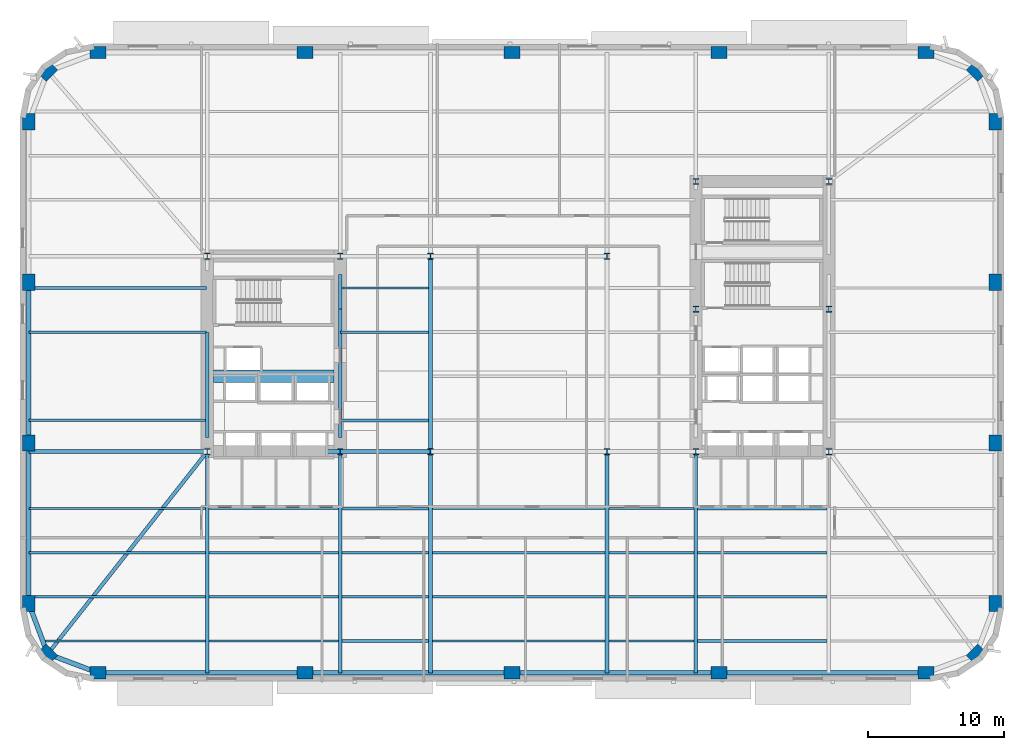
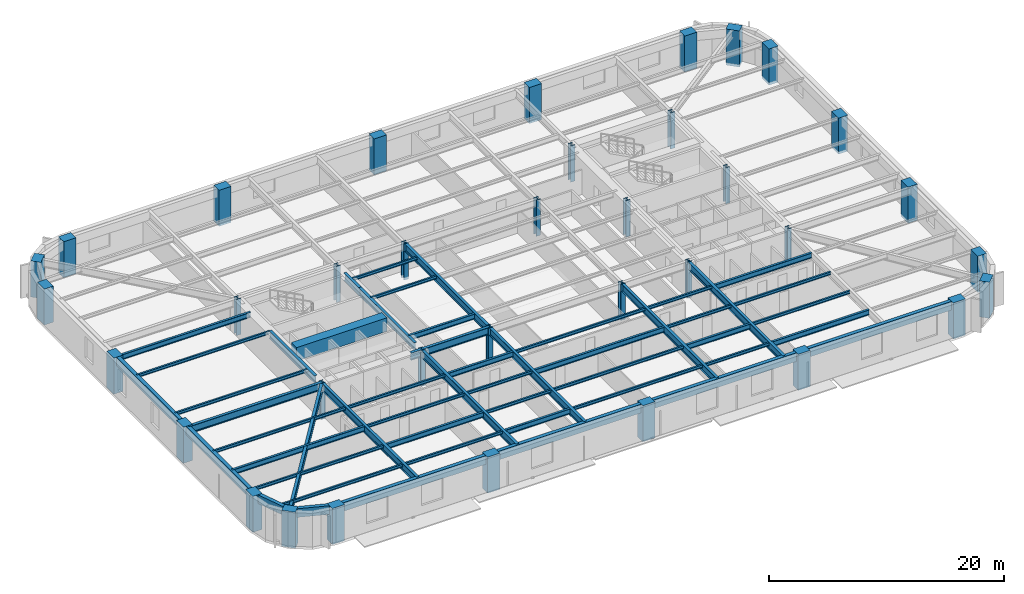
# One storey, part 1 of 15: 51 beams, 36 columns.
"""IFC4 building model written with IfcOpenShell, lengths in metres."""

from ifc_helpers import new_model, si_unit, direction, frame, origin, origin_2d, place, context, subcontext, project, spatial, rectangle, hollow_rectangle, i_section, extrude, material, material_profile, profile_set, type_object, element, save


model = new_model("IFC4")

# Units and contexts
model_context = context("Model", 3, precision=1e-05, world=origin(), true_north=direction((0.0, 1.0)))
body_context = subcontext(model_context, "Body", "Model", "MODEL_VIEW")
ifc_project = project(units=[si_unit("LENGTHUNIT", "METRE"), si_unit("AREAUNIT", "SQUARE_METRE"), si_unit("VOLUMEUNIT", "CUBIC_METRE"), si_unit("PLANEANGLEUNIT", "RADIAN"), si_unit("MASSUNIT", "GRAM", prefix="KILO")], contexts=[model_context])

# Site, building, storey
site_placement = place(None, origin())
site = spatial("IfcSite", under=ifc_project, at=site_placement, CompositionType="ELEMENT")
building_placement = place(site_placement, origin())
building = spatial("IfcBuilding", under=site, at=building_placement, Name="Kolvaren Arena Tower", CompositionType="ELEMENT")
storey_placement = place(building_placement, frame((0.0, 0.0, 72.0)))
storey = spatial("IfcBuildingStorey", under=building, at=storey_placement, Name="L15", CompositionType="ELEMENT", Elevation=72.0)

# Columns
ifc_material_1 = material(Name="Precast concrete C70/85", Category="concrete")
ifc_material_profile_1 = material_profile(ifc_material_1, rectangle(XDim=1.199951171875, YDim=0.89990234375, at=origin_2d()), Name="RC-1200x900")
ifc_profile_set_1 = profile_set([ifc_material_profile_1], Name="Precast concrete C70/85")
column_type_1 = type_object("IfcColumnType", Name="EXCOL-Z1", PredefinedType="COLUMN", material=ifc_profile_set_1)
for number, where, z_axis, x_axis, name in (
    (1, (6.5, 3.14990234375, -0.27001953125), (0.0, 0.0, 1.0), (1.0, 0.0, 0.0), "Exoskeleton Perimeter Column 01 (L15)"),
    (2, (21.75, 3.14990234375, -0.27001953125), (0.0, 0.0, 1.0), (1.0, 0.0, 0.0), "Exoskeleton Perimeter Column 02 (L15)"),
    (3, (37.0, 3.14990234375, -0.27001953125), (0.0, 0.0, 1.0), (1.0, 0.0, 0.0), "Exoskeleton Perimeter Column 03 (L15)"),
    (4, (52.25, 3.14990234375, -0.27001953125), (0.0, 0.0, 1.0), (1.0, 0.0, 0.0), "Exoskeleton Perimeter Column 04 (L15)"),
    (5, (67.5, 3.14990234375, -0.27001953125), (0.0, 0.0, 1.0), (1.0, 0.0, 0.0), "Exoskeleton Perimeter Column 05 (L15)"),
    (6, (71.208740234375, 4.541259765625, -0.27001953125), (0.0, 0.0, 1.0), (0.707106781187, 0.707106781187, 0.0), "Exoskeleton Perimeter Column 06 (L15)"),
    (7, (72.60009765625, 8.25, -0.27001953125), (0.0, 0.0, 1.0), (0.0, 1.0, 0.0), "Exoskeleton Perimeter Column 07 (L15)"),
    (8, (72.60009765625, 20.083251953125, -0.27001953125), (0.0, 0.0, 1.0), (0.0, 1.0, 0.0), "Exoskeleton Perimeter Column 08 (L15)"),
    (9, (72.60009765625, 31.916748046875, -0.27001953125), (0.0, 0.0, 1.0), (0.0, 1.0, 0.0), "Exoskeleton Perimeter Column 09 (L15)"),
    (10, (72.60009765625, 43.75, -0.27001953125), (0.0, 0.0, 1.0), (0.0, 1.0, 0.0), "Exoskeleton Perimeter Column 10 (L15)"),
    (11, (71.208740234375, 47.458740234375, -0.27001953125), (0.0, 0.0, 1.0), (-0.707106781187, 0.707106781187, 0.0), "Exoskeleton Perimeter Column 11 (L15)"),
    (12, (67.5, 48.85009765625, -0.27001953125), (0.0, 0.0, 1.0), (1.0, 0.0, 0.0), "Exoskeleton Perimeter Column 12 (L15)"),
    (13, (52.25, 48.85009765625, -0.27001953125), (0.0, 0.0, 1.0), (1.0, 0.0, 0.0), "Exoskeleton Perimeter Column 13 (L15)"),
    (14, (37.0, 48.85009765625, -0.27001953125), (0.0, 0.0, 1.0), (1.0, 0.0, 0.0), "Exoskeleton Perimeter Column 14 (L15)"),
    (15, (21.75, 48.85009765625, -0.27001953125), (0.0, 0.0, 1.0), (1.0, 0.0, 0.0), "Exoskeleton Perimeter Column 15 (L15)"),
    (16, (6.5, 48.85009765625, -0.27001953125), (0.0, 0.0, 1.0), (1.0, 0.0, 0.0), "Exoskeleton Perimeter Column 16 (L15)"),
    (17, (2.791259765625, 47.458740234375, -0.27001953125), (0.0, 0.0, 1.0), (0.707106781187, 0.707106781187, 0.0), "Exoskeleton Perimeter Column 17 (L15)"),
    (18, (1.39990234375, 43.75, -0.27001953125), (0.0, 0.0, 1.0), (0.0, 1.0, 0.0), "Exoskeleton Perimeter Column 18 (L15)"),
    (19, (1.39990234375, 31.916748046875, -0.27001953125), (0.0, 0.0, 1.0), (0.0, 1.0, 0.0), "Exoskeleton Perimeter Column 19 (L15)"),
    (20, (1.39990234375, 20.083251953125, -0.27001953125), (0.0, 0.0, 1.0), (0.0, 1.0, 0.0), "Exoskeleton Perimeter Column 20 (L15)"),
    (21, (1.39990234375, 8.25, -0.27001953125), (0.0, 0.0, 1.0), (0.0, 1.0, 0.0), "Exoskeleton Perimeter Column 21 (L15)"),
    (22, (2.791259765625, 4.541259765625, -0.27001953125), (0.0, 0.0, 1.0), (-0.707106781187, 0.707106781187, 0.0), "Exoskeleton Perimeter Column 22 (L15)"),
):
    element("IfcColumn", number, at=place(storey_placement, frame(where, z_axis=z_axis, x_axis=x_axis)), inside=storey, type_object=column_type_1, Name=name, PredefinedType="COLUMN", context=body_context, shape_type="SweptSolid", body=[
        extrude(rectangle(XDim=1.199951171875, YDim=0.89990234375, at=origin_2d()), origin(), (0.0, 0.0, 1.0), 3.75),
    ])
ifc_material_2 = material(Name="Steel ASTM A913 Grade 65", Category="steel")
ifc_material_profile_2 = material_profile(ifc_material_2, i_section(OverallWidth=0.424072265625, OverallDepth=0.47412109375, WebThickness=0.047607421875, FlangeThickness=0.076904296875, FilletRadius=0.02001953125, at=origin_2d()), Name="W360x634")
ifc_profile_set_2 = profile_set([ifc_material_profile_2], Name="Steel ASTM A913 Grade 65")
column_type_2 = type_object("IfcColumnType", Name="SCOL-Z1", PredefinedType="COLUMN", material=ifc_profile_set_2)
for number, where, z_axis, x_axis, name in (
    (23, (14.550048828125, 19.449951171875, -0.27001953125), (0.0, 0.0, 1.0), (1.0, 0.0, 0.0), "Core Boundary Column WC-SW (L15)"),
    (24, (24.35009765625, 19.449951171875, -0.27001953125), (0.0, 0.0, 1.0), (1.0, 0.0, 0.0), "Core Boundary Column WC-SE (L15)"),
    (25, (14.550048828125, 33.85009765625, -0.27001953125), (0.0, 0.0, 1.0), (1.0, 0.0, 0.0), "Core Boundary Column WC-NW (L15)"),
    (26, (24.35009765625, 33.85009765625, -0.27001953125), (0.0, 0.0, 1.0), (1.0, 0.0, 0.0), "Core Boundary Column WC-NE (L15)"),
    (27, (50.550048828125, 19.449951171875, -0.27001953125), (0.0, 0.0, 1.0), (1.0, 0.0, 0.0), "Core Boundary Column EC-SW (L15)"),
    (28, (60.35009765625, 19.449951171875, -0.27001953125), (0.0, 0.0, 1.0), (1.0, 0.0, 0.0), "Core Boundary Column EC-SE (L15)"),
    (29, (50.550048828125, 29.949951171875, -0.27001953125), (0.0, 0.0, 1.0), (1.0, 0.0, 0.0), "Core Boundary Column EC-MW (L15)"),
    (30, (60.35009765625, 29.949951171875, -0.27001953125), (0.0, 0.0, 1.0), (1.0, 0.0, 0.0), "Core Boundary Column EC-ME (L15)"),
    (31, (50.550048828125, 39.35009765625, -0.27001953125), (0.0, 0.0, 1.0), (1.0, 0.0, 0.0), "Core Boundary Column EC-NW (L15)"),
    (32, (60.35009765625, 39.35009765625, -0.27001953125), (0.0, 0.0, 1.0), (1.0, 0.0, 0.0), "Core Boundary Column EC-NE (L15)"),
    (33, (31.0, 19.449951171875, -0.27001953125), (0.0, 0.0, 1.0), (1.0, 0.0, 0.0), "Interior Gravity Column TC-SW (L15)"),
    (34, (44.0, 19.449951171875, -0.27001953125), (0.0, 0.0, 1.0), (1.0, 0.0, 0.0), "Interior Gravity Column TC-SE (L15)"),
    (35, (31.0, 33.85009765625, -0.27001953125), (0.0, 0.0, 1.0), (1.0, 0.0, 0.0), "Interior Gravity Column TC-NW (L15)"),
    (36, (44.0, 33.85009765625, -0.27001953125), (0.0, 0.0, 1.0), (1.0, 0.0, 0.0), "Interior Gravity Column TC-NE (L15)"),
):
    element("IfcColumn", number, at=place(storey_placement, frame(where, z_axis=z_axis, x_axis=x_axis)), inside=storey, type_object=column_type_2, Name=name, PredefinedType="COLUMN", context=body_context, shape_type="SweptSolid", body=[
        extrude(i_section(OverallWidth=0.424072265625, OverallDepth=0.47412109375, WebThickness=0.047607421875, FlangeThickness=0.076904296875, FilletRadius=0.02001953125, at=origin_2d()), origin(), (0.0, 0.0, 1.0), 3.75),
    ])

# Beams
ifc_material_3 = material(Name="Steel CSA G40.21 350W", Category="steel")
ifc_material_profile_3 = material_profile(ifc_material_3, i_section(OverallWidth=0.2119140625, OverallDepth=0.54296875, WebThickness=0.01318359375, FlangeThickness=0.0244140625, FilletRadius=0.013916015625, at=origin_2d()), Name="W530x150")
ifc_profile_set_3 = profile_set([ifc_material_profile_3], Name="Steel CSA G40.21 350W")
beam_type_1 = type_object("IfcBeamType", Name="BEAM-F1", PredefinedType="BEAM", material=ifc_profile_set_3)
beam_1_placement = place(storey_placement, frame((24.485107421875, 5.5, 3.20849609375), z_axis=(1.0, 0.0, 0.0), x_axis=(0.0, 1.0, 0.0)))
element("IfcBeam", 37, at=beam_1_placement, inside=storey, type_object=beam_type_1, Name="Composite Floor Beam (L15)", PredefinedType="BEAM", context=body_context, shape_type="SweptSolid", body=[
    extrude(i_section(OverallWidth=0.2119140625, OverallDepth=0.54296875, WebThickness=0.01318359375, FlangeThickness=0.0244140625, FilletRadius=0.013916015625, at=origin_2d()), origin(), (0.0, 0.0, 1.0), 6.3798828125),
])
for number, where, z_axis, x_axis, name in (
    (38, (50.68505859375, 5.5, 3.20849609375), (1.0, 0.0, 0.0), (0.0, 1.0, 0.0), "Composite Floor Beam (L15)"),
    (39, (14.68505859375, 8.75, 3.20849609375), (1.0, 0.0, 0.0), (0.0, 1.0, 0.0), "Composite Floor Beam (L15)"),
):
    element("IfcBeam", number, at=place(storey_placement, frame(where, z_axis=z_axis, x_axis=x_axis)), inside=storey, type_object=beam_type_1, Name=name, PredefinedType="BEAM", context=body_context, shape_type="SweptSolid", body=[
        extrude(i_section(OverallWidth=0.2119140625, OverallDepth=0.54296875, WebThickness=0.01318359375, FlangeThickness=0.0244140625, FilletRadius=0.013916015625, at=origin_2d()), origin(), (0.0, 0.0, 1.0), 9.530029296875),
    ])
beam_2_placement = place(storey_placement, frame((44.135009765625, 8.75, 3.20849609375), z_axis=(1.0, 0.0, 0.0), x_axis=(0.0, 1.0, 0.0)))
element("IfcBeam", 40, at=beam_2_placement, inside=storey, type_object=beam_type_1, Name="Composite Floor Beam (L15)", PredefinedType="BEAM", context=body_context, shape_type="SweptSolid", body=[
    extrude(i_section(OverallWidth=0.2119140625, OverallDepth=0.54296875, WebThickness=0.01318359375, FlangeThickness=0.0244140625, FilletRadius=0.013916015625, at=origin_2d()), origin(), (0.0, 0.0, 1.0), 6.280029296875),
])
beam_3_placement = place(storey_placement, frame((1.39990234375, 12.0, 3.20849609375), z_axis=(1.0, 0.0, 0.0), x_axis=(0.0, 1.0, 0.0)))
element("IfcBeam", 41, at=beam_3_placement, inside=storey, type_object=beam_type_1, Name="Composite Floor Beam (L15)", PredefinedType="BEAM", context=body_context, shape_type="SweptSolid", body=[
    extrude(i_section(OverallWidth=0.2119140625, OverallDepth=0.54296875, WebThickness=0.01318359375, FlangeThickness=0.0244140625, FilletRadius=0.013916015625, at=origin_2d()), origin(), (0.0, 0.0, 1.0), 13.01513671875),
])
beam_4_placement = place(storey_placement, frame((31.135009765625, 12.0, 3.20849609375), z_axis=(1.0, 0.0, 0.0), x_axis=(0.0, 1.0, 0.0)))
element("IfcBeam", 42, at=beam_4_placement, inside=storey, type_object=beam_type_1, Name="Composite Floor Beam (L15)", PredefinedType="BEAM", context=body_context, shape_type="SweptSolid", body=[
    extrude(i_section(OverallWidth=0.2119140625, OverallDepth=0.54296875, WebThickness=0.01318359375, FlangeThickness=0.0244140625, FilletRadius=0.013916015625, at=origin_2d()), origin(), (0.0, 0.0, 1.0), 12.72998046875),
])
beam_5_placement = place(storey_placement, frame((24.485107421875, 15.25, 3.20849609375), z_axis=(1.0, 0.0, 0.0), x_axis=(0.0, 1.0, 0.0)))
element("IfcBeam", 43, at=beam_5_placement, inside=storey, type_object=beam_type_1, Name="Composite Floor Beam (L15)", PredefinedType="BEAM", context=body_context, shape_type="SweptSolid", body=[
    extrude(i_section(OverallWidth=0.2119140625, OverallDepth=0.54296875, WebThickness=0.01318359375, FlangeThickness=0.0244140625, FilletRadius=0.013916015625, at=origin_2d()), origin(), (0.0, 0.0, 1.0), 6.3798828125),
])
beam_6_placement = place(storey_placement, frame((50.68505859375, 15.25, 3.20849609375), z_axis=(1.0, 0.0, 0.0), x_axis=(0.0, 1.0, 0.0)))
element("IfcBeam", 44, at=beam_6_placement, inside=storey, type_object=beam_type_1, Name="Composite Floor Beam (L15)", PredefinedType="BEAM", context=body_context, shape_type="SweptSolid", body=[
    extrude(i_section(OverallWidth=0.2119140625, OverallDepth=0.54296875, WebThickness=0.01318359375, FlangeThickness=0.0244140625, FilletRadius=0.013916015625, at=origin_2d()), origin(), (0.0, 0.0, 1.0), 9.530029296875),
])
beam_7_placement = place(storey_placement, frame((24.3701171875, 21.75, 3.20849609375), z_axis=(1.0, 0.0, 0.0), x_axis=(0.0, 1.0, 0.0)))
element("IfcBeam", 45, at=beam_7_placement, inside=storey, type_object=beam_type_1, Name="Composite Floor Beam (L15)", PredefinedType="BEAM", context=body_context, shape_type="SweptSolid", body=[
    extrude(i_section(OverallWidth=0.2119140625, OverallDepth=0.54296875, WebThickness=0.01318359375, FlangeThickness=0.0244140625, FilletRadius=0.013916015625, at=origin_2d()), origin(), (0.0, 0.0, 1.0), 6.494873046875),
])
beam_8_placement = place(storey_placement, frame((1.39990234375, 31.5, 3.20849609375), z_axis=(1.0, 0.0, 0.0), x_axis=(0.0, 1.0, 0.0)))
element("IfcBeam", 46, at=beam_8_placement, inside=storey, type_object=beam_type_1, Name="Composite Floor Beam (L15)", PredefinedType="BEAM", context=body_context, shape_type="SweptSolid", body=[
    extrude(i_section(OverallWidth=0.2119140625, OverallDepth=0.54296875, WebThickness=0.01318359375, FlangeThickness=0.0244140625, FilletRadius=0.013916015625, at=origin_2d()), origin(), (0.0, 0.0, 1.0), 13.080078125),
])
ifc_material_4 = material(Name="Concrete 75 MPa", Category="concrete")
ifc_material_profile_4 = material_profile(ifc_material_4, rectangle(XDim=0.89990234375, YDim=1.39990234375, at=origin_2d()), Name="RC-900x1400")
ifc_profile_set_4 = profile_set([ifc_material_profile_4], Name="Concrete 75 MPa")
beam_type_2 = type_object("IfcBeamType", Name="CB-CORE-1", PredefinedType="BEAM", material=ifc_profile_set_4)
beam_9_placement = place(storey_placement, frame((15.0, 25.0, 3.050048828125), z_axis=(1.0, 0.0, 0.0), x_axis=(0.0, 1.0, 0.0)))
element("IfcBeam", 47, at=beam_9_placement, inside=storey, type_object=beam_type_2, Name="West Core Coupling Beam (L15)", PredefinedType="BEAM", context=body_context, shape_type="SweptSolid", body=[
    extrude(rectangle(XDim=0.89990234375, YDim=1.39990234375, at=origin_2d()), origin(), (0.0, 0.0, 1.0), 8.89990234375),
])
ifc_material_profile_5 = material_profile(ifc_material_3, i_section(OverallWidth=0.27001953125, OverallDepth=0.77294921875, WebThickness=0.019287109375, FlangeThickness=0.033447265625, FilletRadius=0.01806640625, at=origin_2d()), Name="W760x257")
ifc_profile_set_5 = profile_set([ifc_material_profile_5], Name="Steel CSA G40.21 350W")
beam_type_3 = type_object("IfcBeamType", Name="GIRD-T1", PredefinedType="BEAM", material=ifc_profile_set_5)
beam_10_placement = place(storey_placement, frame((2.791259765625, 4.541259765625, 3.093505859375), z_axis=(0.61927986086, 0.785170334343, 0.0), x_axis=(-0.785170334343, 0.61927986086, 0.0)))
element("IfcBeam", 48, at=beam_10_placement, inside=storey, type_object=beam_type_3, Name="Corner Diagonal Tie Girder (L15)", PredefinedType="BEAM", context=body_context, shape_type="SweptSolid", body=[
    extrude(i_section(OverallWidth=0.27001953125, OverallDepth=0.77294921875, WebThickness=0.019287109375, FlangeThickness=0.033447265625, FilletRadius=0.01806640625, at=origin_2d()), origin(), (0.0, 0.0, 1.0), 18.98779296875),
])
beam_11_placement = place(storey_placement, frame((1.39990234375, 19.449951171875, 3.093505859375), z_axis=(1.0, 0.0, 0.0), x_axis=(0.0, 1.0, 0.0)))
element("IfcBeam", 49, at=beam_11_placement, inside=storey, type_object=beam_type_3, Name="Primary Floor Girder (L15)", PredefinedType="BEAM", context=body_context, shape_type="SweptSolid", body=[
    extrude(i_section(OverallWidth=0.27001953125, OverallDepth=0.77294921875, WebThickness=0.019287109375, FlangeThickness=0.033447265625, FilletRadius=0.01806640625, at=origin_2d()), origin(), (0.0, 0.0, 1.0), 13.150146484375),
])
beam_12_placement = place(storey_placement, frame((23.2451171875, 19.449951171875, 3.093505859375), z_axis=(1.0, 0.0, 0.0), x_axis=(0.0, 1.0, 0.0)))
element("IfcBeam", 50, at=beam_12_placement, inside=storey, type_object=beam_type_3, Name="Primary Floor Girder (L15)", PredefinedType="BEAM", context=body_context, shape_type="SweptSolid", body=[
    extrude(i_section(OverallWidth=0.27001953125, OverallDepth=0.77294921875, WebThickness=0.019287109375, FlangeThickness=0.033447265625, FilletRadius=0.01806640625, at=origin_2d()), origin(), (0.0, 0.0, 1.0), 7.7548828125),
])
beam_13_placement = place(storey_placement, frame((14.550048828125, 3.14990234375, 3.093505859375), z_axis=(0.0, 1.0, 0.0), x_axis=(-1.0, 0.0, 0.0)))
element("IfcBeam", 51, at=beam_13_placement, inside=storey, type_object=beam_type_3, Name="Primary Floor Girder (L15)", PredefinedType="BEAM", context=body_context, shape_type="SweptSolid", body=[
    extrude(i_section(OverallWidth=0.27001953125, OverallDepth=0.77294921875, WebThickness=0.019287109375, FlangeThickness=0.033447265625, FilletRadius=0.01806640625, at=origin_2d()), origin(), (0.0, 0.0, 1.0), 16.300048828125),
])
beam_14_placement = place(storey_placement, frame((14.550048828125, 20.5, 3.093505859375), z_axis=(0.0, 1.0, 0.0), x_axis=(-1.0, 0.0, 0.0)))
element("IfcBeam", 52, at=beam_14_placement, inside=storey, type_object=beam_type_3, Name="Primary Floor Girder (L15)", PredefinedType="BEAM", context=body_context, shape_type="SweptSolid", body=[
    extrude(i_section(OverallWidth=0.27001953125, OverallDepth=0.77294921875, WebThickness=0.019287109375, FlangeThickness=0.033447265625, FilletRadius=0.01806640625, at=origin_2d()), origin(), (0.0, 0.0, 1.0), 7.739990234375),
])
beam_15_placement = place(storey_placement, frame((24.35009765625, 3.14990234375, 3.093505859375), z_axis=(0.0, 1.0, 0.0), x_axis=(-1.0, 0.0, 0.0)))
element("IfcBeam", 53, at=beam_15_placement, inside=storey, type_object=beam_type_3, Name="Primary Floor Girder (L15)", PredefinedType="BEAM", context=body_context, shape_type="SweptSolid", body=[
    extrude(i_section(OverallWidth=0.27001953125, OverallDepth=0.77294921875, WebThickness=0.019287109375, FlangeThickness=0.033447265625, FilletRadius=0.01806640625, at=origin_2d()), origin(), (0.0, 0.0, 1.0), 16.300048828125),
])
beam_16_placement = place(storey_placement, frame((24.35009765625, 20.5, 3.093505859375), z_axis=(0.0, 1.0, 0.0), x_axis=(-1.0, 0.0, 0.0)))
element("IfcBeam", 54, at=beam_16_placement, inside=storey, type_object=beam_type_3, Name="Primary Floor Girder (L15)", PredefinedType="BEAM", context=body_context, shape_type="SweptSolid", body=[
    extrude(i_section(OverallWidth=0.27001953125, OverallDepth=0.77294921875, WebThickness=0.019287109375, FlangeThickness=0.033447265625, FilletRadius=0.01806640625, at=origin_2d()), origin(), (0.0, 0.0, 1.0), 9.449951171875),
])
beam_17_placement = place(storey_placement, frame((24.35009765625, 29.949951171875, 3.093505859375), z_axis=(0.0, 1.0, 0.0), x_axis=(-1.0, 0.0, 0.0)))
element("IfcBeam", 55, at=beam_17_placement, inside=storey, type_object=beam_type_3, Name="Primary Floor Girder (L15)", PredefinedType="BEAM", context=body_context, shape_type="SweptSolid", body=[
    extrude(i_section(OverallWidth=0.27001953125, OverallDepth=0.77294921875, WebThickness=0.019287109375, FlangeThickness=0.033447265625, FilletRadius=0.01806640625, at=origin_2d()), origin(), (0.0, 0.0, 1.0), 2.550048828125),
])
beam_18_placement = place(storey_placement, frame((31.0, 3.14990234375, 3.093505859375), z_axis=(0.0, 1.0, 0.0), x_axis=(-1.0, 0.0, 0.0)))
element("IfcBeam", 56, at=beam_18_placement, inside=storey, type_object=beam_type_3, Name="Primary Floor Girder (L15)", PredefinedType="BEAM", context=body_context, shape_type="SweptSolid", body=[
    extrude(i_section(OverallWidth=0.27001953125, OverallDepth=0.77294921875, WebThickness=0.019287109375, FlangeThickness=0.033447265625, FilletRadius=0.01806640625, at=origin_2d()), origin(), (0.0, 0.0, 1.0), 16.300048828125),
])
beam_19_placement = place(storey_placement, frame((31.0, 19.449951171875, 3.093505859375), z_axis=(0.0, 1.0, 0.0), x_axis=(-1.0, 0.0, 0.0)))
element("IfcBeam", 57, at=beam_19_placement, inside=storey, type_object=beam_type_3, Name="Primary Floor Girder (L15)", PredefinedType="BEAM", context=body_context, shape_type="SweptSolid", body=[
    extrude(i_section(OverallWidth=0.27001953125, OverallDepth=0.77294921875, WebThickness=0.019287109375, FlangeThickness=0.033447265625, FilletRadius=0.01806640625, at=origin_2d()), origin(), (0.0, 0.0, 1.0), 14.400146484375),
])
for number, where, z_axis, x_axis, name in (
    (58, (44.0, 3.14990234375, 3.093505859375), (0.0, 1.0, 0.0), (-1.0, 0.0, 0.0), "Primary Floor Girder (L15)"),
    (59, (50.550048828125, 3.14990234375, 3.093505859375), (0.0, 1.0, 0.0), (-1.0, 0.0, 0.0), "Primary Floor Girder (L15)"),
):
    element("IfcBeam", number, at=place(storey_placement, frame(where, z_axis=z_axis, x_axis=x_axis)), inside=storey, type_object=beam_type_3, Name=name, PredefinedType="BEAM", context=body_context, shape_type="SweptSolid", body=[
        extrude(i_section(OverallWidth=0.27001953125, OverallDepth=0.77294921875, WebThickness=0.019287109375, FlangeThickness=0.033447265625, FilletRadius=0.01806640625, at=origin_2d()), origin(), (0.0, 0.0, 1.0), 16.300048828125),
    ])
ifc_material_profile_6 = material_profile(ifc_material_3, i_section(OverallWidth=0.1669921875, OverallDepth=0.31689453125, WebThickness=0.007568359375, FlangeThickness=0.01318359375, FilletRadius=0.010009765625, at=origin_2d()), Name="W310x52")
ifc_profile_set_6 = profile_set([ifc_material_profile_6], Name="Steel CSA G40.21 350W")
beam_type_4 = type_object("IfcBeamType", Name="JOIST-02", PredefinedType="JOIST", material=ifc_profile_set_6)
beam_20_placement = place(storey_placement, frame((2.431396484375, 5.5, 3.321533203125), z_axis=(1.0, 0.0, 0.0), x_axis=(0.0, 1.0, 0.0)))
element("IfcBeam", 60, at=beam_20_placement, inside=storey, type_object=beam_type_4, Name="Composite Floor Joist (L15)", PredefinedType="JOIST", context=body_context, shape_type="SweptSolid", body=[
    extrude(i_section(OverallWidth=0.1669921875, OverallDepth=0.31689453125, WebThickness=0.007568359375, FlangeThickness=0.01318359375, FilletRadius=0.010009765625, at=origin_2d()), origin(), (0.0, 0.0, 1.0), 11.983642578125),
])
beam_21_placement = place(storey_placement, frame((14.68505859375, 5.5, 3.321533203125), z_axis=(1.0, 0.0, 0.0), x_axis=(0.0, 1.0, 0.0)))
element("IfcBeam", 61, at=beam_21_placement, inside=storey, type_object=beam_type_4, Name="Composite Floor Joist (L15)", PredefinedType="JOIST", context=body_context, shape_type="SweptSolid", body=[
    extrude(i_section(OverallWidth=0.1669921875, OverallDepth=0.31689453125, WebThickness=0.007568359375, FlangeThickness=0.01318359375, FilletRadius=0.010009765625, at=origin_2d()), origin(), (0.0, 0.0, 1.0), 9.530029296875),
])
beam_22_placement = place(storey_placement, frame((31.135009765625, 5.5, 3.321533203125), z_axis=(1.0, 0.0, 0.0), x_axis=(0.0, 1.0, 0.0)))
element("IfcBeam", 62, at=beam_22_placement, inside=storey, type_object=beam_type_4, Name="Composite Floor Joist (L15)", PredefinedType="JOIST", context=body_context, shape_type="SweptSolid", body=[
    extrude(i_section(OverallWidth=0.1669921875, OverallDepth=0.31689453125, WebThickness=0.007568359375, FlangeThickness=0.01318359375, FilletRadius=0.010009765625, at=origin_2d()), origin(), (0.0, 0.0, 1.0), 12.72998046875),
])
beam_23_placement = place(storey_placement, frame((44.135009765625, 5.5, 3.321533203125), z_axis=(1.0, 0.0, 0.0), x_axis=(0.0, 1.0, 0.0)))
element("IfcBeam", 63, at=beam_23_placement, inside=storey, type_object=beam_type_4, Name="Composite Floor Joist (L15)", PredefinedType="JOIST", context=body_context, shape_type="SweptSolid", body=[
    extrude(i_section(OverallWidth=0.1669921875, OverallDepth=0.31689453125, WebThickness=0.007568359375, FlangeThickness=0.01318359375, FilletRadius=0.010009765625, at=origin_2d()), origin(), (0.0, 0.0, 1.0), 6.280029296875),
])
beam_24_placement = place(storey_placement, frame((1.39990234375, 8.75, 3.321533203125), z_axis=(1.0, 0.0, 0.0), x_axis=(0.0, 1.0, 0.0)))
element("IfcBeam", 64, at=beam_24_placement, inside=storey, type_object=beam_type_4, Name="Composite Floor Joist (L15)", PredefinedType="JOIST", context=body_context, shape_type="SweptSolid", body=[
    extrude(i_section(OverallWidth=0.1669921875, OverallDepth=0.31689453125, WebThickness=0.007568359375, FlangeThickness=0.01318359375, FilletRadius=0.010009765625, at=origin_2d()), origin(), (0.0, 0.0, 1.0), 13.01513671875),
])
beam_25_placement = place(storey_placement, frame((24.485107421875, 8.75, 3.321533203125), z_axis=(1.0, 0.0, 0.0), x_axis=(0.0, 1.0, 0.0)))
element("IfcBeam", 65, at=beam_25_placement, inside=storey, type_object=beam_type_4, Name="Composite Floor Joist (L15)", PredefinedType="JOIST", context=body_context, shape_type="SweptSolid", body=[
    extrude(i_section(OverallWidth=0.1669921875, OverallDepth=0.31689453125, WebThickness=0.007568359375, FlangeThickness=0.01318359375, FilletRadius=0.010009765625, at=origin_2d()), origin(), (0.0, 0.0, 1.0), 6.3798828125),
])
beam_26_placement = place(storey_placement, frame((31.135009765625, 8.75, 3.321533203125), z_axis=(1.0, 0.0, 0.0), x_axis=(0.0, 1.0, 0.0)))
element("IfcBeam", 66, at=beam_26_placement, inside=storey, type_object=beam_type_4, Name="Composite Floor Joist (L15)", PredefinedType="JOIST", context=body_context, shape_type="SweptSolid", body=[
    extrude(i_section(OverallWidth=0.1669921875, OverallDepth=0.31689453125, WebThickness=0.007568359375, FlangeThickness=0.01318359375, FilletRadius=0.010009765625, at=origin_2d()), origin(), (0.0, 0.0, 1.0), 12.72998046875),
])
for number, where, z_axis, x_axis, name in (
    (67, (50.68505859375, 8.75, 3.321533203125), (1.0, 0.0, 0.0), (0.0, 1.0, 0.0), "Composite Floor Joist (L15)"),
    (68, (14.68505859375, 12.0, 3.321533203125), (1.0, 0.0, 0.0), (0.0, 1.0, 0.0), "Composite Floor Joist (L15)"),
):
    element("IfcBeam", number, at=place(storey_placement, frame(where, z_axis=z_axis, x_axis=x_axis)), inside=storey, type_object=beam_type_4, Name=name, PredefinedType="JOIST", context=body_context, shape_type="SweptSolid", body=[
        extrude(i_section(OverallWidth=0.1669921875, OverallDepth=0.31689453125, WebThickness=0.007568359375, FlangeThickness=0.01318359375, FilletRadius=0.010009765625, at=origin_2d()), origin(), (0.0, 0.0, 1.0), 9.530029296875),
    ])
beam_27_placement = place(storey_placement, frame((24.485107421875, 12.0, 3.321533203125), z_axis=(1.0, 0.0, 0.0), x_axis=(0.0, 1.0, 0.0)))
element("IfcBeam", 69, at=beam_27_placement, inside=storey, type_object=beam_type_4, Name="Composite Floor Joist (L15)", PredefinedType="JOIST", context=body_context, shape_type="SweptSolid", body=[
    extrude(i_section(OverallWidth=0.1669921875, OverallDepth=0.31689453125, WebThickness=0.007568359375, FlangeThickness=0.01318359375, FilletRadius=0.010009765625, at=origin_2d()), origin(), (0.0, 0.0, 1.0), 6.3798828125),
])
beam_28_placement = place(storey_placement, frame((44.135009765625, 12.0, 3.321533203125), z_axis=(1.0, 0.0, 0.0), x_axis=(0.0, 1.0, 0.0)))
element("IfcBeam", 70, at=beam_28_placement, inside=storey, type_object=beam_type_4, Name="Composite Floor Joist (L15)", PredefinedType="JOIST", context=body_context, shape_type="SweptSolid", body=[
    extrude(i_section(OverallWidth=0.1669921875, OverallDepth=0.31689453125, WebThickness=0.007568359375, FlangeThickness=0.01318359375, FilletRadius=0.010009765625, at=origin_2d()), origin(), (0.0, 0.0, 1.0), 6.280029296875),
])
beam_29_placement = place(storey_placement, frame((50.68505859375, 12.0, 3.321533203125), z_axis=(1.0, 0.0, 0.0), x_axis=(0.0, 1.0, 0.0)))
element("IfcBeam", 71, at=beam_29_placement, inside=storey, type_object=beam_type_4, Name="Composite Floor Joist (L15)", PredefinedType="JOIST", context=body_context, shape_type="SweptSolid", body=[
    extrude(i_section(OverallWidth=0.1669921875, OverallDepth=0.31689453125, WebThickness=0.007568359375, FlangeThickness=0.01318359375, FilletRadius=0.010009765625, at=origin_2d()), origin(), (0.0, 0.0, 1.0), 9.530029296875),
])
beam_30_placement = place(storey_placement, frame((1.39990234375, 15.25, 3.321533203125), z_axis=(1.0, 0.0, 0.0), x_axis=(0.0, 1.0, 0.0)))
element("IfcBeam", 72, at=beam_30_placement, inside=storey, type_object=beam_type_4, Name="Composite Floor Joist (L15)", PredefinedType="JOIST", context=body_context, shape_type="SweptSolid", body=[
    extrude(i_section(OverallWidth=0.1669921875, OverallDepth=0.31689453125, WebThickness=0.007568359375, FlangeThickness=0.01318359375, FilletRadius=0.010009765625, at=origin_2d()), origin(), (0.0, 0.0, 1.0), 13.01513671875),
])
beam_31_placement = place(storey_placement, frame((14.68505859375, 15.25, 3.321533203125), z_axis=(1.0, 0.0, 0.0), x_axis=(0.0, 1.0, 0.0)))
element("IfcBeam", 73, at=beam_31_placement, inside=storey, type_object=beam_type_4, Name="Composite Floor Joist (L15)", PredefinedType="JOIST", context=body_context, shape_type="SweptSolid", body=[
    extrude(i_section(OverallWidth=0.1669921875, OverallDepth=0.31689453125, WebThickness=0.007568359375, FlangeThickness=0.01318359375, FilletRadius=0.010009765625, at=origin_2d()), origin(), (0.0, 0.0, 1.0), 9.530029296875),
])
beam_32_placement = place(storey_placement, frame((31.135009765625, 15.25, 3.321533203125), z_axis=(1.0, 0.0, 0.0), x_axis=(0.0, 1.0, 0.0)))
element("IfcBeam", 74, at=beam_32_placement, inside=storey, type_object=beam_type_4, Name="Composite Floor Joist (L15)", PredefinedType="JOIST", context=body_context, shape_type="SweptSolid", body=[
    extrude(i_section(OverallWidth=0.1669921875, OverallDepth=0.31689453125, WebThickness=0.007568359375, FlangeThickness=0.01318359375, FilletRadius=0.010009765625, at=origin_2d()), origin(), (0.0, 0.0, 1.0), 12.72998046875),
])
beam_33_placement = place(storey_placement, frame((44.135009765625, 15.25, 3.321533203125), z_axis=(1.0, 0.0, 0.0), x_axis=(0.0, 1.0, 0.0)))
element("IfcBeam", 75, at=beam_33_placement, inside=storey, type_object=beam_type_4, Name="Composite Floor Joist (L15)", PredefinedType="JOIST", context=body_context, shape_type="SweptSolid", body=[
    extrude(i_section(OverallWidth=0.1669921875, OverallDepth=0.31689453125, WebThickness=0.007568359375, FlangeThickness=0.01318359375, FilletRadius=0.010009765625, at=origin_2d()), origin(), (0.0, 0.0, 1.0), 6.280029296875),
])
beam_34_placement = place(storey_placement, frame((1.39990234375, 21.75, 3.321533203125), z_axis=(1.0, 0.0, 0.0), x_axis=(0.0, 1.0, 0.0)))
element("IfcBeam", 76, at=beam_34_placement, inside=storey, type_object=beam_type_4, Name="Composite Floor Joist (L15)", PredefinedType="JOIST", context=body_context, shape_type="SweptSolid", body=[
    extrude(i_section(OverallWidth=0.1669921875, OverallDepth=0.31689453125, WebThickness=0.007568359375, FlangeThickness=0.01318359375, FilletRadius=0.010009765625, at=origin_2d()), origin(), (0.0, 0.0, 1.0), 13.130126953125),
])
beam_35_placement = place(storey_placement, frame((1.39990234375, 28.25, 3.321533203125), z_axis=(1.0, 0.0, 0.0), x_axis=(0.0, 1.0, 0.0)))
element("IfcBeam", 77, at=beam_35_placement, inside=storey, type_object=beam_type_4, Name="Composite Floor Joist (L15)", PredefinedType="JOIST", context=body_context, shape_type="SweptSolid", body=[
    extrude(i_section(OverallWidth=0.1669921875, OverallDepth=0.31689453125, WebThickness=0.007568359375, FlangeThickness=0.01318359375, FilletRadius=0.010009765625, at=origin_2d()), origin(), (0.0, 0.0, 1.0), 13.080078125),
])
for number, where, z_axis, x_axis, name in (
    (78, (24.3701171875, 28.25, 3.321533203125), (1.0, 0.0, 0.0), (0.0, 1.0, 0.0), "Composite Floor Joist (L15)"),
    (79, (24.3701171875, 31.5, 3.321533203125), (1.0, 0.0, 0.0), (0.0, 1.0, 0.0), "Composite Floor Joist (L15)"),
):
    element("IfcBeam", number, at=place(storey_placement, frame(where, z_axis=z_axis, x_axis=x_axis)), inside=storey, type_object=beam_type_4, Name=name, PredefinedType="JOIST", context=body_context, shape_type="SweptSolid", body=[
        extrude(i_section(OverallWidth=0.1669921875, OverallDepth=0.31689453125, WebThickness=0.007568359375, FlangeThickness=0.01318359375, FilletRadius=0.010009765625, at=origin_2d()), origin(), (0.0, 0.0, 1.0), 6.494873046875),
    ])
ifc_material_5 = material(Name="Steel CSA G40.21 350WT", Category="steel")
ifc_material_profile_7 = material_profile(ifc_material_5, hollow_rectangle(XDim=0.35009765625, YDim=0.89990234375, WallThickness=0.02001953125, at=origin_2d()), Name="HSS 900x350x20")
ifc_profile_set_7 = profile_set([ifc_material_profile_7], Name="Steel CSA G40.21 350WT")
beam_type_5 = type_object("IfcBeamType", Name="SPAND-01", PredefinedType="SPANDREL", material=ifc_profile_set_7)
for number, where, z_axis, x_axis, name in (
    (80, (6.5, 3.14990234375, 3.030029296875), (1.0, 0.0, 0.0), (0.0, 1.0, 0.0), "Perimeter Spandrel Beam (L15)"),
    (81, (21.75, 3.14990234375, 3.030029296875), (1.0, 0.0, 0.0), (0.0, 1.0, 0.0), "Perimeter Spandrel Beam (L15)"),
    (82, (37.0, 3.14990234375, 3.030029296875), (1.0, 0.0, 0.0), (0.0, 1.0, 0.0), "Perimeter Spandrel Beam (L15)"),
    (83, (52.25, 3.14990234375, 3.030029296875), (1.0, 0.0, 0.0), (0.0, 1.0, 0.0), "Perimeter Spandrel Beam (L15)"),
):
    element("IfcBeam", number, at=place(storey_placement, frame(where, z_axis=z_axis, x_axis=x_axis)), inside=storey, type_object=beam_type_5, Name=name, PredefinedType="SPANDREL", context=body_context, shape_type="SweptSolid", body=[
        extrude(hollow_rectangle(XDim=0.35009765625, YDim=0.89990234375, WallThickness=0.02001953125, at=origin_2d()), origin(), (0.0, 0.0, 1.0), 15.25),
    ])
beam_36_placement = place(storey_placement, frame((1.39990234375, 31.916748046875, 3.030029296875), z_axis=(0.0, -1.0, 0.0), x_axis=(1.0, 0.0, 0.0)))
element("IfcBeam", 84, at=beam_36_placement, inside=storey, type_object=beam_type_5, Name="Perimeter Spandrel Beam (L15)", PredefinedType="SPANDREL", context=body_context, shape_type="SweptSolid", body=[
    extrude(hollow_rectangle(XDim=0.35009765625, YDim=0.89990234375, WallThickness=0.02001953125, at=origin_2d()), origin(), (0.0, 0.0, 1.0), 11.83349609375),
])
beam_37_placement = place(storey_placement, frame((1.39990234375, 20.083251953125, 3.030029296875), z_axis=(0.0, -1.0, 0.0), x_axis=(1.0, 0.0, 0.0)))
element("IfcBeam", 85, at=beam_37_placement, inside=storey, type_object=beam_type_5, Name="Perimeter Spandrel Beam (L15)", PredefinedType="SPANDREL", context=body_context, shape_type="SweptSolid", body=[
    extrude(hollow_rectangle(XDim=0.35009765625, YDim=0.89990234375, WallThickness=0.02001953125, at=origin_2d()), origin(), (0.0, 0.0, 1.0), 11.833251953125),
])
for number, where, z_axis, x_axis, name in (
    (86, (1.39990234375, 8.25, 3.030029296875), (0.351251771955, -0.93628104365, 0.0), (0.93628104365, 0.351251771955, 0.0), "Perimeter Spandrel Beam (L15)"),
    (87, (2.791259765625, 4.541259765625, 3.030029296875), (0.93628104365, -0.351251771955, 0.0), (0.351251771955, 0.93628104365, 0.0), "Perimeter Spandrel Beam (L15)"),
):
    element("IfcBeam", number, at=place(storey_placement, frame(where, z_axis=z_axis, x_axis=x_axis)), inside=storey, type_object=beam_type_5, Name=name, PredefinedType="SPANDREL", context=body_context, shape_type="SweptSolid", body=[
        extrude(hollow_rectangle(XDim=0.35009765625, YDim=0.89990234375, WallThickness=0.02001953125, at=origin_2d()), origin(), (0.0, 0.0, 1.0), 3.961181640625),
    ])

save(model, "model.ifc")
